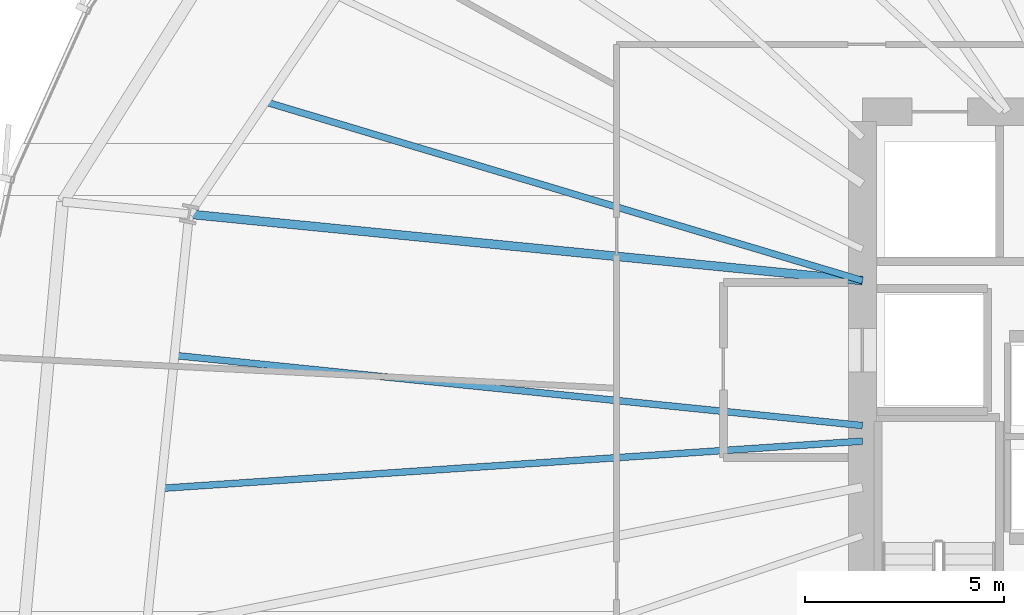
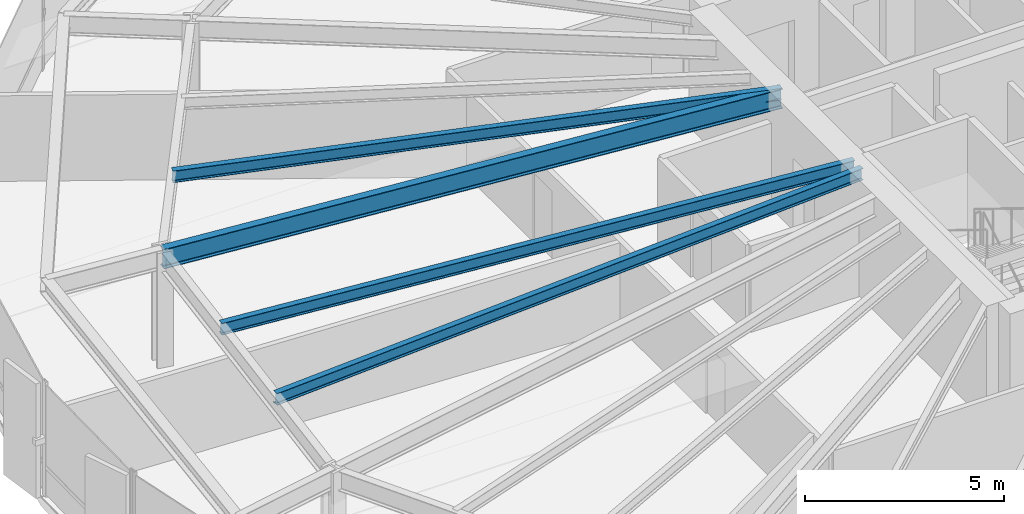
# One storey, part 10 of 38: 4 beams.
"""IFC4 building model written with IfcOpenShell, lengths in metres."""

from ifc_helpers import new_model, si_unit, direction, frame, origin, origin_2d, place, context, subcontext, project, spatial, i_section, extrude, source, transform, mapped, material, material_profile, profile_set, type_object, element, save


model = new_model("IFC4")

# Units and contexts
model_context = context("Model", 3, precision=1e-05, world=origin(), true_north=direction((0.0, 1.0)))
body_context = subcontext(model_context, "Body", "Model", "MODEL_VIEW")
ifc_project = project(units=[si_unit("LENGTHUNIT", "METRE"), si_unit("AREAUNIT", "SQUARE_METRE"), si_unit("VOLUMEUNIT", "CUBIC_METRE"), si_unit("PLANEANGLEUNIT", "RADIAN"), si_unit("MASSUNIT", "GRAM", prefix="KILO"), si_unit("THERMODYNAMICTEMPERATUREUNIT", "KELVIN")], contexts=[model_context])

# Site, building, storey
site_placement = place(None, origin())
site = spatial("IfcSite", under=ifc_project, at=site_placement, CompositionType="ELEMENT")
building_placement = place(site_placement, origin())
building = spatial("IfcBuilding", under=site, at=building_placement, Name="Kethvar Cultural Tower", CompositionType="ELEMENT")
storey_placement = place(building_placement, frame((0.0, 0.0, 52.39990234375)))
storey = spatial("IfcBuildingStorey", under=building, at=storey_placement, Name="L12", CompositionType="ELEMENT", Elevation=52.39990234375)

# Beams
ifc_material = material(Name="Steel S355J2", Category="steel")
ifc_material_profile_1 = material_profile(ifc_material, i_section(OverallWidth=0.219970703125, OverallDepth=0.60009765625, WebThickness=0.011962890625, FlangeThickness=0.01904296875, FilletRadius=0.02392578125, at=origin_2d()), Name="Steel S355J2 — IPE600")
ifc_profile_set_1 = profile_set([ifc_material_profile_1], Name="Steel S355J2 — IPE600")
beam_type_1 = type_object("IfcBeamType", Name="BM-IPE600", PredefinedType="BEAM", material=ifc_profile_set_1)
shared_shape_1 = source(origin(), body_context, "Body", "SweptSolid", [
    extrude(i_section(OverallWidth=0.219970703125, OverallDepth=0.60009765625, WebThickness=0.011962890625, FlangeThickness=0.01904296875, FilletRadius=0.02392578125, at=origin_2d()), origin(), (0.0, 0.0, 1.0), 17.03515625),
])
beam_1_placement = place(storey_placement, frame((38.0, 31.25, 3.248046875), z_axis=(-0.995168138859, 0.098185413375, 0.0), x_axis=(-0.098185413375, -0.995168138859, 0.0)))
element("IfcBeam", 1, at=beam_1_placement, inside=storey, type_object=beam_type_1, Name="L12 Primary Radial Beam RB-08", PredefinedType="BEAM", context=body_context, shape_type="MappedRepresentation", body=[
    mapped(shared_shape_1, transform((0.0, 0.0, 0.0), scale=1.0)),
])
ifc_material_profile_2 = material_profile(ifc_material, i_section(OverallWidth=0.169921875, OverallDepth=0.360107421875, WebThickness=0.008056640625, FlangeThickness=0.0126953125, FilletRadius=0.01806640625, at=origin_2d()), Name="Steel S355J2 — IPE360")
ifc_profile_set_2 = profile_set([ifc_material_profile_2], Name="Steel S355J2 — IPE360")
beam_type_2 = type_object("IfcBeamType", Name="BM-J360", PredefinedType="JOIST", material=ifc_profile_set_2)
shared_shape_2 = source(origin(), body_context, "Body", "SweptSolid", [
    extrude(i_section(OverallWidth=0.169921875, OverallDepth=0.360107421875, WebThickness=0.008056640625, FlangeThickness=0.0126953125, FilletRadius=0.01806640625, at=origin_2d()), origin(), (0.0, 0.0, 1.0), 15.6953125),
])
beam_2_placement = place(storey_placement, frame((38.0, 31.25, 3.3681640625), z_axis=(-0.958003344758, 0.28675702508, 0.0), x_axis=(-0.28675702508, -0.958003344758, 0.0)))
element("IfcBeam", 2, at=beam_2_placement, inside=storey, type_object=beam_type_2, Name="L12 Composite Floor Joist J-07B", PredefinedType="JOIST", context=body_context, shape_type="MappedRepresentation", body=[
    mapped(shared_shape_2, transform((0.0, 0.0, 0.0), scale=1.0)),
])
shared_shape_3 = source(origin(), body_context, "Body", "SweptSolid", [
    extrude(i_section(OverallWidth=0.169921875, OverallDepth=0.360107421875, WebThickness=0.008056640625, FlangeThickness=0.0126953125, FilletRadius=0.01806640625, at=origin_2d()), origin(), (0.0, 0.0, 1.0), 17.410400390625),
])
beam_3_placement = place(storey_placement, frame((38.0, 27.60009765625, 3.3681640625), z_axis=(-0.99484162516, 0.101440331474, 0.0), x_axis=(-0.101440331474, -0.99484162516, 0.0)))
element("IfcBeam", 3, at=beam_3_placement, inside=storey, type_object=beam_type_2, Name="L12 Composite Floor Joist J-08A", PredefinedType="JOIST", context=body_context, shape_type="MappedRepresentation", body=[
    mapped(shared_shape_3, transform((0.0, 0.0, 0.0), scale=1.0)),
])
shared_shape_4 = source(origin(), body_context, "Body", "SweptSolid", [
    extrude(i_section(OverallWidth=0.169921875, OverallDepth=0.360107421875, WebThickness=0.008056640625, FlangeThickness=0.0126953125, FilletRadius=0.01806640625, at=origin_2d()), origin(), (0.0, 0.0, 1.0), 17.70654296875),
])
beam_4_placement = place(storey_placement, frame((38.0, 27.207763671875, 3.3681640625), z_axis=(-0.997742984455, -0.067148618533, 0.0), x_axis=(0.067148618533, -0.997742984455, 0.0)))
element("IfcBeam", 4, at=beam_4_placement, inside=storey, type_object=beam_type_2, Name="L12 Composite Floor Joist J-08B", PredefinedType="JOIST", context=body_context, shape_type="MappedRepresentation", body=[
    mapped(shared_shape_4, transform((0.0, 0.0, 0.0), scale=1.0)),
])

save(model, "model.ifc")
